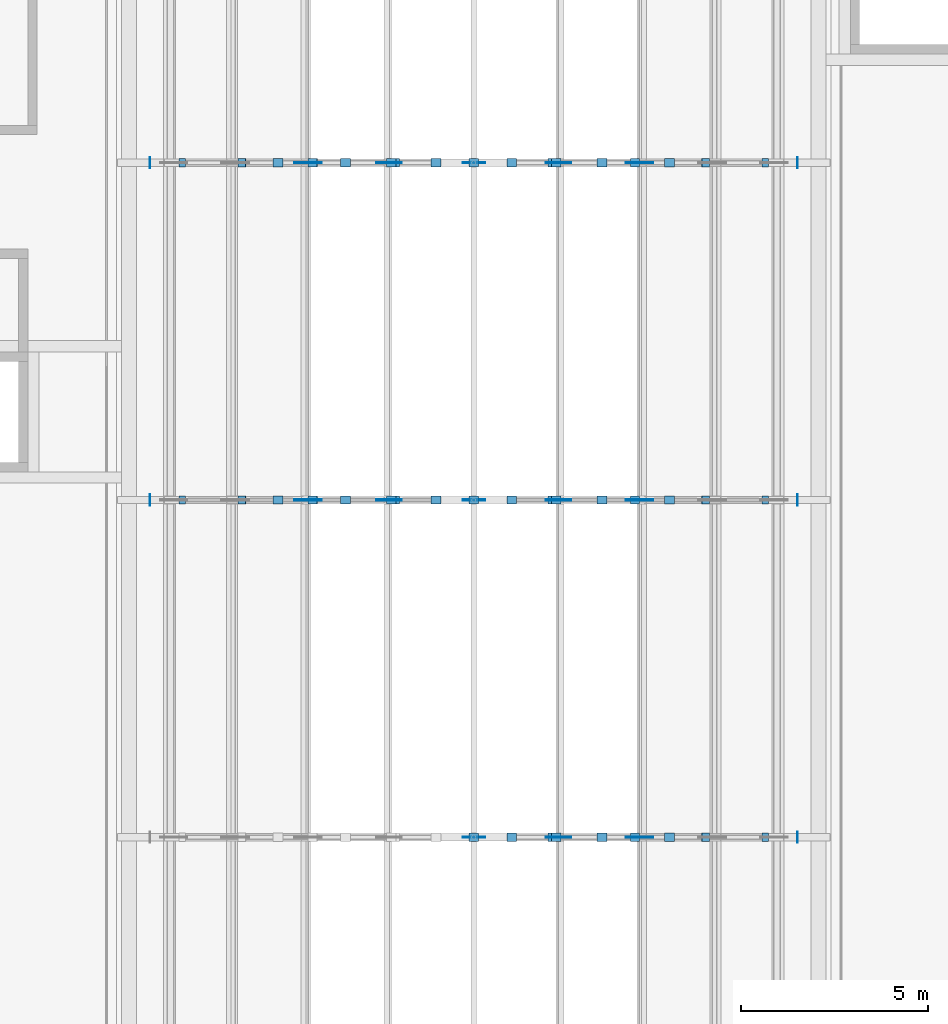
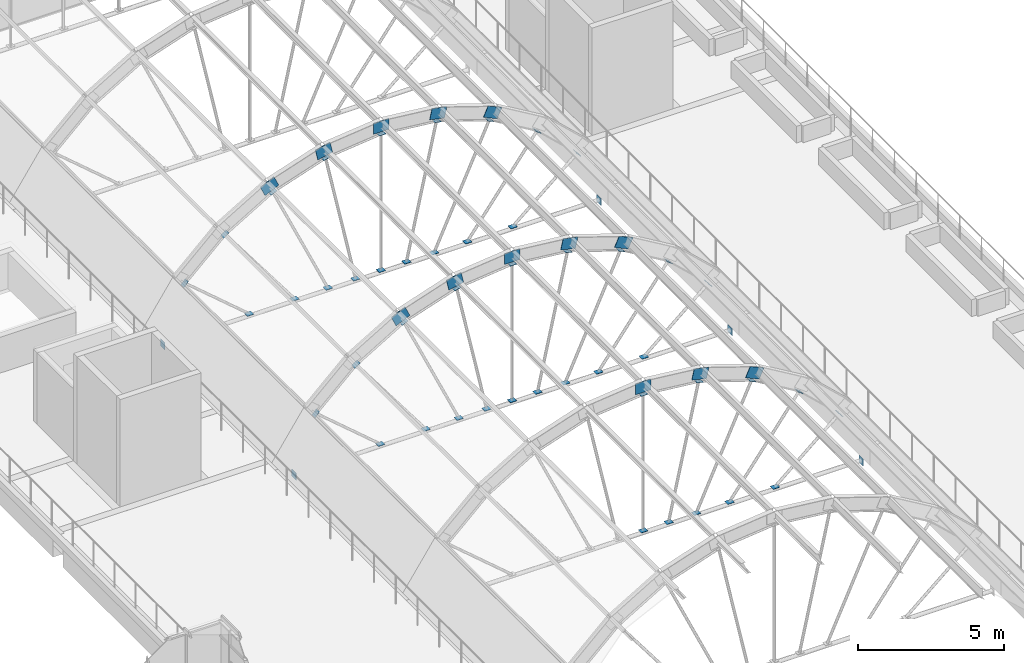
# One storey, part 68 of 79: 77 discrete accessories.
"""IFC4 building model written with IfcOpenShell, lengths in metres."""

from ifc_helpers import new_model, si_unit, direction, frame, origin, origin_2d, place, context, subcontext, project, spatial, rectangle, extrude, material, material_profile, profile_set, type_object, element, save


model = new_model("IFC4")

# Units and contexts
model_context = context("Model", 3, precision=1e-05, world=origin(), true_north=direction((0.0, 1.0)))
body_context = subcontext(model_context, "Body", "Model", "MODEL_VIEW")
ifc_project = project(units=[si_unit("LENGTHUNIT", "METRE"), si_unit("AREAUNIT", "SQUARE_METRE"), si_unit("VOLUMEUNIT", "CUBIC_METRE"), si_unit("PLANEANGLEUNIT", "RADIAN"), si_unit("MASSUNIT", "GRAM", prefix="KILO")], contexts=[model_context])

# Site, building, storey
site_placement = place(None, origin())
site = spatial("IfcSite", under=ifc_project, at=site_placement, CompositionType="ELEMENT")
building_placement = place(site_placement, origin())
building = spatial("IfcBuilding", under=site, at=building_placement, Name="Guidao Yard Department Store", CompositionType="ELEMENT")
storey_placement = place(building_placement, frame((0.0, 0.0, 15.0)))
storey = spatial("IfcBuildingStorey", under=building, at=storey_placement, Name="L03", CompositionType="ELEMENT", Elevation=15.0)

# Discrete accessories
ifc_material_1 = material(Name="Steel Q355B", Category="steel")
ifc_material_profile_1 = material_profile(ifc_material_1, rectangle(XDim=0.011962890625, YDim=0.449951171875, at=origin_2d()), Name="Splice plate 450x12")
ifc_profile_set_1 = profile_set([ifc_material_profile_1], Name="Steel Q355B")
discrete_accessory_type_1 = type_object("IfcDiscreteAccessoryType", Name="Rib splice plate SP2 steel", PredefinedType="BRACKET", material=ifc_profile_set_1)
for number, where, z_axis, x_axis, name in (
    (1, (89.699951171875, 71.988525390625, 5.668701171875), (1.0, 0.0, 0.0), (0.0, 1.0, 0.0), "Rib splice plate C04-05A"),
    (2, (89.699951171875, 72.011474609375, 5.668701171875), (1.0, 0.0, 0.0), (0.0, 1.0, 0.0), "Rib splice plate C04-05B"),
):
    element("IfcDiscreteAccessory", number, at=place(storey_placement, frame(where, z_axis=z_axis, x_axis=x_axis)), inside=storey, type_object=discrete_accessory_type_1, Name=name, PredefinedType="BRACKET", context=body_context, shape_type="SweptSolid", body=[
        extrude(rectangle(XDim=0.011962890625, YDim=0.449951171875, at=origin_2d()), origin(), (0.0, 0.0, 1.0), 0.60009765625),
    ])
for number, where, z_axis, x_axis, name in (
    (3, (91.97265625, 71.988525390625, 5.48974609375), (0.977257109626, 0.0, -0.212057873434), (0.0, 1.0, 0.0), "Rib splice plate C04-06A"),
    (4, (91.97265625, 72.011474609375, 5.48974609375), (0.977257109626, 0.0, -0.212057873434), (0.0, 1.0, 0.0), "Rib splice plate C04-06B"),
):
    element("IfcDiscreteAccessory", number, at=place(storey_placement, frame(where, z_axis=z_axis, x_axis=x_axis)), inside=storey, type_object=discrete_accessory_type_1, Name=name, PredefinedType="BRACKET", context=body_context, shape_type="SweptSolid", body=[
        extrude(rectangle(XDim=0.011962890625, YDim=0.449951171875, at=origin_2d()), origin(), (0.0, 0.0, 1.0), 0.599853515625),
    ])
for number, where, z_axis, x_axis, name in (
    (5, (94.14990234375, 71.988525390625, 4.834716796875), (0.909808266671, 0.0, -0.415028815744), (0.0, 1.0, 0.0), "Rib splice plate C04-07A"),
    (6, (94.14990234375, 72.011474609375, 4.834716796875), (0.909808266671, 0.0, -0.415028815744), (0.0, 1.0, 0.0), "Rib splice plate C04-07B"),
    (7, (85.30419921875, 80.988525390625, 4.585693359375), (0.909808266671, 0.0, 0.415028815744), (0.0, 1.0, 0.0), "Rib splice plate C05-03A"),
    (8, (85.30419921875, 81.011474609375, 4.585693359375), (0.909808266671, 0.0, 0.415028815744), (0.0, 1.0, 0.0), "Rib splice plate C05-03B"),
):
    element("IfcDiscreteAccessory", number, at=place(storey_placement, frame(where, z_axis=z_axis, x_axis=x_axis)), inside=storey, type_object=discrete_accessory_type_1, Name=name, PredefinedType="BRACKET", context=body_context, shape_type="SweptSolid", body=[
        extrude(rectangle(XDim=0.011962890625, YDim=0.449951171875, at=origin_2d()), origin(), (0.0, 0.0, 1.0), 0.60009765625),
    ])
for number, where, z_axis, x_axis, name in (
    (9, (87.441162109375, 80.988525390625, 5.362548828125), (0.977257109626, 0.0, 0.212057873434), (0.0, 1.0, 0.0), "Rib splice plate C05-04A"),
    (10, (87.441162109375, 81.011474609375, 5.362548828125), (0.977257109626, 0.0, 0.212057873434), (0.0, 1.0, 0.0), "Rib splice plate C05-04B"),
):
    element("IfcDiscreteAccessory", number, at=place(storey_placement, frame(where, z_axis=z_axis, x_axis=x_axis)), inside=storey, type_object=discrete_accessory_type_1, Name=name, PredefinedType="BRACKET", context=body_context, shape_type="SweptSolid", body=[
        extrude(rectangle(XDim=0.011962890625, YDim=0.449951171875, at=origin_2d()), origin(), (0.0, 0.0, 1.0), 0.599853515625),
    ])
for number, where, z_axis, x_axis, name in (
    (11, (89.699951171875, 80.988525390625, 5.668701171875), (1.0, 0.0, 0.0), (0.0, 1.0, 0.0), "Rib splice plate C05-05A"),
    (12, (89.699951171875, 81.011474609375, 5.668701171875), (1.0, 0.0, 0.0), (0.0, 1.0, 0.0), "Rib splice plate C05-05B"),
):
    element("IfcDiscreteAccessory", number, at=place(storey_placement, frame(where, z_axis=z_axis, x_axis=x_axis)), inside=storey, type_object=discrete_accessory_type_1, Name=name, PredefinedType="BRACKET", context=body_context, shape_type="SweptSolid", body=[
        extrude(rectangle(XDim=0.011962890625, YDim=0.449951171875, at=origin_2d()), origin(), (0.0, 0.0, 1.0), 0.60009765625),
    ])
for number, where, z_axis, x_axis, name in (
    (13, (91.97265625, 80.988525390625, 5.48974609375), (0.977257109626, 0.0, -0.212057873434), (0.0, 1.0, 0.0), "Rib splice plate C05-06A"),
    (14, (91.97265625, 81.011474609375, 5.48974609375), (0.977257109626, 0.0, -0.212057873434), (0.0, 1.0, 0.0), "Rib splice plate C05-06B"),
):
    element("IfcDiscreteAccessory", number, at=place(storey_placement, frame(where, z_axis=z_axis, x_axis=x_axis)), inside=storey, type_object=discrete_accessory_type_1, Name=name, PredefinedType="BRACKET", context=body_context, shape_type="SweptSolid", body=[
        extrude(rectangle(XDim=0.011962890625, YDim=0.449951171875, at=origin_2d()), origin(), (0.0, 0.0, 1.0), 0.599853515625),
    ])
for number, where, z_axis, x_axis, name in (
    (15, (94.14990234375, 80.988525390625, 4.834716796875), (0.909808266671, 0.0, -0.415028815744), (0.0, 1.0, 0.0), "Rib splice plate C05-07A"),
    (16, (94.14990234375, 81.011474609375, 4.834716796875), (0.909808266671, 0.0, -0.415028815744), (0.0, 1.0, 0.0), "Rib splice plate C05-07B"),
    (17, (85.30419921875, 89.988525390625, 4.585693359375), (0.909808266671, 0.0, 0.415028815744), (0.0, 1.0, 0.0), "Rib splice plate C06-03A"),
    (18, (85.30419921875, 90.011474609375, 4.585693359375), (0.909808266671, 0.0, 0.415028815744), (0.0, 1.0, 0.0), "Rib splice plate C06-03B"),
):
    element("IfcDiscreteAccessory", number, at=place(storey_placement, frame(where, z_axis=z_axis, x_axis=x_axis)), inside=storey, type_object=discrete_accessory_type_1, Name=name, PredefinedType="BRACKET", context=body_context, shape_type="SweptSolid", body=[
        extrude(rectangle(XDim=0.011962890625, YDim=0.449951171875, at=origin_2d()), origin(), (0.0, 0.0, 1.0), 0.60009765625),
    ])
for number, where, z_axis, x_axis, name in (
    (19, (87.441162109375, 89.988525390625, 5.362548828125), (0.977257109626, 0.0, 0.212057873434), (0.0, 1.0, 0.0), "Rib splice plate C06-04A"),
    (20, (87.441162109375, 90.011474609375, 5.362548828125), (0.977257109626, 0.0, 0.212057873434), (0.0, 1.0, 0.0), "Rib splice plate C06-04B"),
):
    element("IfcDiscreteAccessory", number, at=place(storey_placement, frame(where, z_axis=z_axis, x_axis=x_axis)), inside=storey, type_object=discrete_accessory_type_1, Name=name, PredefinedType="BRACKET", context=body_context, shape_type="SweptSolid", body=[
        extrude(rectangle(XDim=0.011962890625, YDim=0.449951171875, at=origin_2d()), origin(), (0.0, 0.0, 1.0), 0.599853515625),
    ])
for number, where, z_axis, x_axis, name in (
    (21, (89.699951171875, 89.988525390625, 5.668701171875), (1.0, 0.0, 0.0), (0.0, 1.0, 0.0), "Rib splice plate C06-05A"),
    (22, (89.699951171875, 90.011474609375, 5.668701171875), (1.0, 0.0, 0.0), (0.0, 1.0, 0.0), "Rib splice plate C06-05B"),
):
    element("IfcDiscreteAccessory", number, at=place(storey_placement, frame(where, z_axis=z_axis, x_axis=x_axis)), inside=storey, type_object=discrete_accessory_type_1, Name=name, PredefinedType="BRACKET", context=body_context, shape_type="SweptSolid", body=[
        extrude(rectangle(XDim=0.011962890625, YDim=0.449951171875, at=origin_2d()), origin(), (0.0, 0.0, 1.0), 0.60009765625),
    ])
for number, where, z_axis, x_axis, name in (
    (23, (91.97265625, 89.988525390625, 5.48974609375), (0.977257109626, 0.0, -0.212057873434), (0.0, 1.0, 0.0), "Rib splice plate C06-06A"),
    (24, (91.97265625, 90.011474609375, 5.48974609375), (0.977257109626, 0.0, -0.212057873434), (0.0, 1.0, 0.0), "Rib splice plate C06-06B"),
):
    element("IfcDiscreteAccessory", number, at=place(storey_placement, frame(where, z_axis=z_axis, x_axis=x_axis)), inside=storey, type_object=discrete_accessory_type_1, Name=name, PredefinedType="BRACKET", context=body_context, shape_type="SweptSolid", body=[
        extrude(rectangle(XDim=0.011962890625, YDim=0.449951171875, at=origin_2d()), origin(), (0.0, 0.0, 1.0), 0.599853515625),
    ])
for number, where, z_axis, x_axis, name in (
    (25, (94.14990234375, 89.988525390625, 4.834716796875), (0.909808266671, 0.0, -0.415028815744), (0.0, 1.0, 0.0), "Rib splice plate C06-07A"),
    (26, (94.14990234375, 90.011474609375, 4.834716796875), (0.909808266671, 0.0, -0.415028815744), (0.0, 1.0, 0.0), "Rib splice plate C06-07B"),
):
    element("IfcDiscreteAccessory", number, at=place(storey_placement, frame(where, z_axis=z_axis, x_axis=x_axis)), inside=storey, type_object=discrete_accessory_type_1, Name=name, PredefinedType="BRACKET", context=body_context, shape_type="SweptSolid", body=[
        extrude(rectangle(XDim=0.011962890625, YDim=0.449951171875, at=origin_2d()), origin(), (0.0, 0.0, 1.0), 0.60009765625),
    ])
ifc_material_2 = material(Name="Steel Q355B", Category="steel")
ifc_material_profile_2 = material_profile(ifc_material_2, rectangle(XDim=0.300048828125, YDim=0.011962890625, at=origin_2d()), Name="Node plate 300x12")
ifc_profile_set_2 = profile_set([ifc_material_profile_2], Name="Steel Q355B")
discrete_accessory_type_2 = type_object("IfcDiscreteAccessoryType", Name="Tie end plate NP3 300 steel", PredefinedType="BRACKET", material=ifc_profile_set_2)
for number, where, z_axis, x_axis, name in (
    (27, (98.64404296875, 71.85009765625, -0.449951171875), (0.0, 1.0, 0.0), (0.0, 0.0, 1.0), "Tie end plate C04R"),
    (28, (81.35595703125, 80.85009765625, -0.449951171875), (0.0, 1.0, 0.0), (0.0, 0.0, 1.0), "Tie end plate C05L"),
    (29, (98.64404296875, 80.85009765625, -0.449951171875), (0.0, 1.0, 0.0), (0.0, 0.0, 1.0), "Tie end plate C05R"),
    (30, (81.35595703125, 89.85009765625, -0.449951171875), (0.0, 1.0, 0.0), (0.0, 0.0, 1.0), "Tie end plate C06L"),
    (31, (98.64404296875, 89.85009765625, -0.449951171875), (0.0, 1.0, 0.0), (0.0, 0.0, 1.0), "Tie end plate C06R"),
):
    element("IfcDiscreteAccessory", number, at=place(storey_placement, frame(where, z_axis=z_axis, x_axis=x_axis)), inside=storey, type_object=discrete_accessory_type_2, Name=name, PredefinedType="BRACKET", context=body_context, shape_type="SweptSolid", body=[
        extrude(rectangle(XDim=0.300048828125, YDim=0.011962890625, at=origin_2d()), origin(), (0.0, 0.0, 1.0), 0.2998046875),
    ])
ifc_material_3 = material(Name="Steel Q355B", Category="steel")
ifc_material_profile_3 = material_profile(ifc_material_3, rectangle(XDim=0.260009765625, YDim=0.011962890625, at=origin_2d()), Name="Node plate 260x12")
ifc_profile_set_3 = profile_set([ifc_material_profile_3], Name="Steel Q355B")
discrete_accessory_type_3 = type_object("IfcDiscreteAccessoryType", Name="Web foot plate NP2 steel", PredefinedType="BRACKET", material=ifc_profile_set_3)
for number, where, z_axis, x_axis, name in (
    (32, (90.0, 71.889892578125, -0.360107421875), (0.0, 1.0, 0.0), (-1.0, 0.0, 0.0), "Web foot plate C04-05F"),
    (33, (91.01123046875, 71.889892578125, -0.360107421875), (0.0, 1.0, 0.0), (-1.0, 0.0, 0.0), "Web foot plate C04-06F"),
    (34, (92.109130859375, 71.889892578125, -0.360107421875), (0.0, 1.0, 0.0), (-1.0, 0.0, 0.0), "Web foot plate C04-07F"),
    (35, (93.424072265625, 71.889892578125, -0.360107421875), (0.0, 1.0, 0.0), (-1.0, 0.0, 0.0), "Web foot plate C04-08F"),
    (36, (95.22509765625, 71.889892578125, -0.360107421875), (0.0, 1.0, 0.0), (-1.0, 0.0, 0.0), "Web foot plate C04-09F"),
    (37, (84.77490234375, 80.889892578125, -0.360107421875), (0.0, 1.0, 0.0), (-1.0, 0.0, 0.0), "Web foot plate C05-01F"),
    (38, (86.575927734375, 80.889892578125, -0.360107421875), (0.0, 1.0, 0.0), (-1.0, 0.0, 0.0), "Web foot plate C05-02F"),
    (39, (87.890869140625, 80.889892578125, -0.360107421875), (0.0, 1.0, 0.0), (-1.0, 0.0, 0.0), "Web foot plate C05-03F"),
    (40, (88.98876953125, 80.889892578125, -0.360107421875), (0.0, 1.0, 0.0), (-1.0, 0.0, 0.0), "Web foot plate C05-04F"),
    (41, (90.0, 80.889892578125, -0.360107421875), (0.0, 1.0, 0.0), (-1.0, 0.0, 0.0), "Web foot plate C05-05F"),
    (42, (91.01123046875, 80.889892578125, -0.360107421875), (0.0, 1.0, 0.0), (-1.0, 0.0, 0.0), "Web foot plate C05-06F"),
    (43, (92.109130859375, 80.889892578125, -0.360107421875), (0.0, 1.0, 0.0), (-1.0, 0.0, 0.0), "Web foot plate C05-07F"),
    (44, (93.424072265625, 80.889892578125, -0.360107421875), (0.0, 1.0, 0.0), (-1.0, 0.0, 0.0), "Web foot plate C05-08F"),
    (45, (95.22509765625, 80.889892578125, -0.360107421875), (0.0, 1.0, 0.0), (-1.0, 0.0, 0.0), "Web foot plate C05-09F"),
    (46, (84.77490234375, 89.889892578125, -0.360107421875), (0.0, 1.0, 0.0), (-1.0, 0.0, 0.0), "Web foot plate C06-01F"),
    (47, (86.575927734375, 89.889892578125, -0.360107421875), (0.0, 1.0, 0.0), (-1.0, 0.0, 0.0), "Web foot plate C06-02F"),
    (48, (87.890869140625, 89.889892578125, -0.360107421875), (0.0, 1.0, 0.0), (-1.0, 0.0, 0.0), "Web foot plate C06-03F"),
    (49, (88.98876953125, 89.889892578125, -0.360107421875), (0.0, 1.0, 0.0), (-1.0, 0.0, 0.0), "Web foot plate C06-04F"),
    (50, (90.0, 89.889892578125, -0.360107421875), (0.0, 1.0, 0.0), (-1.0, 0.0, 0.0), "Web foot plate C06-05F"),
    (51, (91.01123046875, 89.889892578125, -0.360107421875), (0.0, 1.0, 0.0), (-1.0, 0.0, 0.0), "Web foot plate C06-06F"),
    (52, (92.109130859375, 89.889892578125, -0.360107421875), (0.0, 1.0, 0.0), (-1.0, 0.0, 0.0), "Web foot plate C06-07F"),
    (53, (93.424072265625, 89.889892578125, -0.360107421875), (0.0, 1.0, 0.0), (-1.0, 0.0, 0.0), "Web foot plate C06-08F"),
    (54, (95.22509765625, 89.889892578125, -0.360107421875), (0.0, 1.0, 0.0), (-1.0, 0.0, 0.0), "Web foot plate C06-09F"),
):
    element("IfcDiscreteAccessory", number, at=place(storey_placement, frame(where, z_axis=z_axis, x_axis=x_axis)), inside=storey, type_object=discrete_accessory_type_3, Name=name, PredefinedType="BRACKET", context=body_context, shape_type="SweptSolid", body=[
        extrude(rectangle(XDim=0.260009765625, YDim=0.011962890625, at=origin_2d()), origin(), (0.0, 0.0, 1.0), 0.22021484375),
    ])
ifc_material_4 = material(Name="Steel Q355B", Category="steel")
ifc_material_profile_4 = material_profile(ifc_material_4, rectangle(XDim=0.260009765625, YDim=0.011962890625, at=origin_2d()), Name="Node plate 260x12")
ifc_profile_set_4 = profile_set([ifc_material_profile_4], Name="Steel Q355B")
discrete_accessory_type_4 = type_object("IfcDiscreteAccessoryType", Name="Web head plate NP1 steel", PredefinedType="BRACKET", material=ifc_profile_set_4)
for number, where, z_axis, x_axis, name in (
    (55, (90.0, 71.889892578125, 5.366943359375), (0.0, 1.0, 0.0), (-1.0, 0.0, 0.0), "Web head plate C04-05H"),
    (56, (92.201904296875, 71.889892578125, 5.13134765625), (0.0, 1.0, 0.0), (-0.977291953985, 0.0, 0.211897231402), "Web head plate C04-06H"),
    (57, (94.297607421875, 71.889892578125, 4.435791015625), (0.0, 1.0, 0.0), (-0.909750741633, 0.0, 0.415154896513), "Web head plate C04-07H"),
    (58, (96.1865234375, 71.889892578125, 3.314208984375), (0.0, 1.0, 0.0), (-0.79928350319, 0.0, 0.600954142617), "Web head plate C04-08H"),
    (59, (97.778076171875, 71.889892578125, 1.82080078125), (0.0, 1.0, 0.0), (-0.649536869322, 0.0, 0.760330096334), "Web head plate C04-09H"),
    (60, (82.221923828125, 80.889892578125, 1.82080078125), (0.0, 1.0, 0.0), (-0.649536869322, 0.0, -0.760330096334), "Web head plate C05-01H"),
    (61, (83.8134765625, 80.889892578125, 3.314208984375), (0.0, 1.0, 0.0), (-0.79928350319, 0.0, -0.600954142617), "Web head plate C05-02H"),
    (62, (85.702392578125, 80.889892578125, 4.435791015625), (0.0, 1.0, 0.0), (-0.909750741633, 0.0, -0.415154896513), "Web head plate C05-03H"),
    (63, (87.798095703125, 80.889892578125, 5.13134765625), (0.0, 1.0, 0.0), (-0.977291953985, 0.0, -0.211897231402), "Web head plate C05-04H"),
    (64, (90.0, 80.889892578125, 5.366943359375), (0.0, 1.0, 0.0), (-1.0, 0.0, 0.0), "Web head plate C05-05H"),
    (65, (92.201904296875, 80.889892578125, 5.13134765625), (0.0, 1.0, 0.0), (-0.977291953985, 0.0, 0.211897231402), "Web head plate C05-06H"),
    (66, (94.297607421875, 80.889892578125, 4.435791015625), (0.0, 1.0, 0.0), (-0.909750741633, 0.0, 0.415154896513), "Web head plate C05-07H"),
    (67, (96.1865234375, 80.889892578125, 3.314208984375), (0.0, 1.0, 0.0), (-0.79928350319, 0.0, 0.600954142617), "Web head plate C05-08H"),
    (68, (97.778076171875, 80.889892578125, 1.82080078125), (0.0, 1.0, 0.0), (-0.649536869322, 0.0, 0.760330096334), "Web head plate C05-09H"),
    (69, (82.221923828125, 89.889892578125, 1.82080078125), (0.0, 1.0, 0.0), (-0.649536869322, 0.0, -0.760330096334), "Web head plate C06-01H"),
    (70, (83.8134765625, 89.889892578125, 3.314208984375), (0.0, 1.0, 0.0), (-0.79928350319, 0.0, -0.600954142617), "Web head plate C06-02H"),
    (71, (85.702392578125, 89.889892578125, 4.435791015625), (0.0, 1.0, 0.0), (-0.909750741633, 0.0, -0.415154896513), "Web head plate C06-03H"),
    (72, (87.798095703125, 89.889892578125, 5.13134765625), (0.0, 1.0, 0.0), (-0.977291953985, 0.0, -0.211897231402), "Web head plate C06-04H"),
    (73, (90.0, 89.889892578125, 5.366943359375), (0.0, 1.0, 0.0), (-1.0, 0.0, 0.0), "Web head plate C06-05H"),
    (74, (92.201904296875, 89.889892578125, 5.13134765625), (0.0, 1.0, 0.0), (-0.977291953985, 0.0, 0.211897231402), "Web head plate C06-06H"),
    (75, (94.297607421875, 89.889892578125, 4.435791015625), (0.0, 1.0, 0.0), (-0.909750741633, 0.0, 0.415154896513), "Web head plate C06-07H"),
    (76, (96.1865234375, 89.889892578125, 3.314208984375), (0.0, 1.0, 0.0), (-0.79928350319, 0.0, 0.600954142617), "Web head plate C06-08H"),
    (77, (97.778076171875, 89.889892578125, 1.82080078125), (0.0, 1.0, 0.0), (-0.649536869322, 0.0, 0.760330096334), "Web head plate C06-09H"),
):
    element("IfcDiscreteAccessory", number, at=place(storey_placement, frame(where, z_axis=z_axis, x_axis=x_axis)), inside=storey, type_object=discrete_accessory_type_4, Name=name, PredefinedType="BRACKET", context=body_context, shape_type="SweptSolid", body=[
        extrude(rectangle(XDim=0.260009765625, YDim=0.011962890625, at=origin_2d()), origin(), (0.0, 0.0, 1.0), 0.22021484375),
    ])

save(model, "model.ifc")
